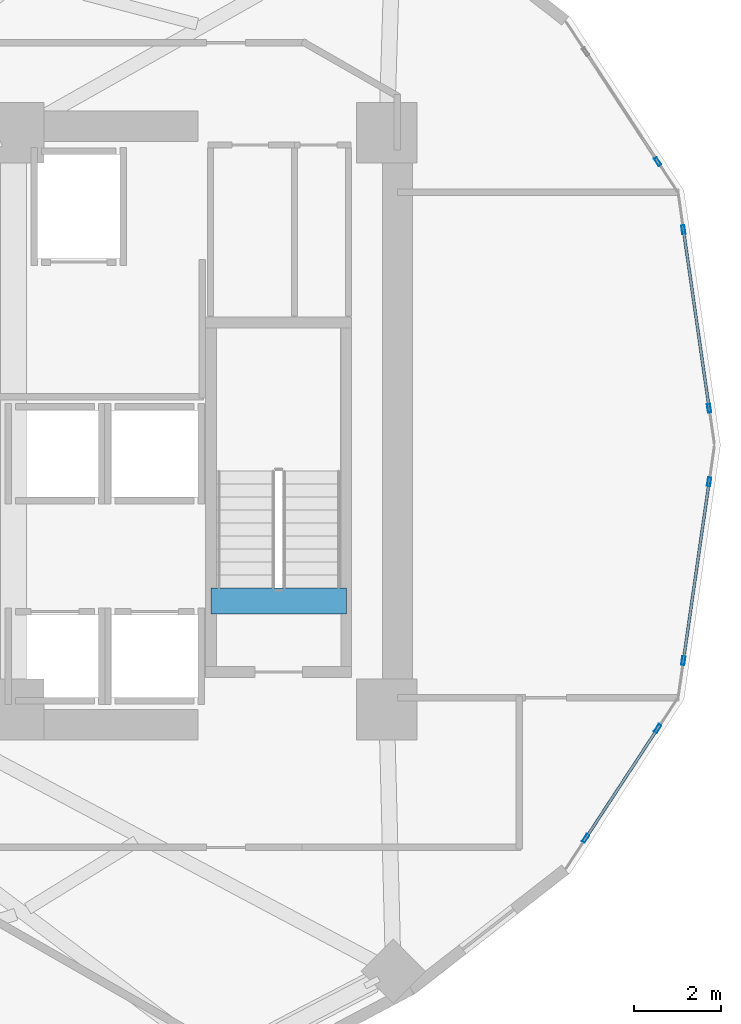
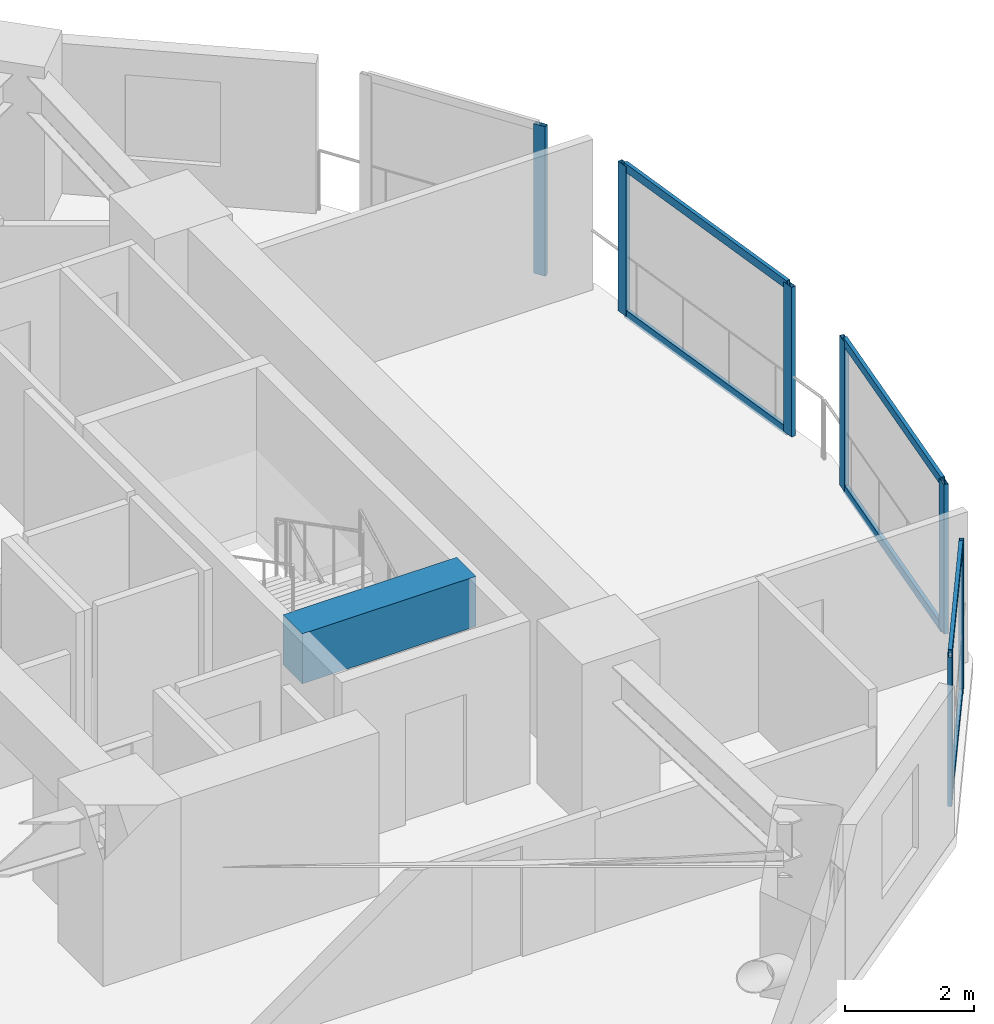
# One storey, part 3 of 14: 13 members, 1 beam, 4 elements without a shape of their own.
"""IFC4 building model written with IfcOpenShell, lengths in metres."""

from ifc_helpers import new_model, si_unit, direction, frame, origin, origin_2d, place, context, subcontext, project, spatial, rectangle, hollow_rectangle, extrude, material, layer, layer_set, material_profile, profile_set, type_object, element, aggregate, save


model = new_model("IFC4")

# Units and contexts
model_context = context("Model", 3, precision=1e-05, world=origin(), true_north=direction((0.0, 1.0)))
body_context = subcontext(model_context, "Body", "Model", "MODEL_VIEW")
ifc_project = project(units=[si_unit("LENGTHUNIT", "METRE"), si_unit("AREAUNIT", "SQUARE_METRE"), si_unit("VOLUMEUNIT", "CUBIC_METRE"), si_unit("PLANEANGLEUNIT", "RADIAN"), si_unit("MASSUNIT", "GRAM", prefix="KILO")], contexts=[model_context])

# Site, building, storey
site_placement = place(None, origin())
site = spatial("IfcSite", under=ifc_project, at=site_placement, CompositionType="ELEMENT")
building_placement = place(site_placement, origin())
building = spatial("IfcBuilding", under=site, at=building_placement, Name="Solvane Sanctuary Tower", CompositionType="ELEMENT")
storey_placement = place(building_placement, frame((0.0, 0.0, 88.699951171875)))
storey = spatial("IfcBuildingStorey", under=building, at=storey_placement, Name="L26", CompositionType="ELEMENT", Elevation=88.699951171875)

# Beam
ifc_material_1 = material(Name="Concrete C70/85", Category="concrete")
ifc_material_profile_1 = material_profile(ifc_material_1, rectangle(XDim=0.60009765625, YDim=0.949951171875, at=origin_2d()), Name="RC600X950")
ifc_profile_set_1 = profile_set([ifc_material_profile_1], Name="Concrete C70/85")
beam_type = type_object("IfcBeamType", Name="Beam B-COUPLE RC600X950", PredefinedType="LINTEL", material=ifc_profile_set_1)
beam_placement = place(storey_placement, frame((44.64990234375, 19.399169921875, 2.625), z_axis=(1.0, 0.0, 0.0), x_axis=(0.0, 1.0, 0.0)))
element("IfcBeam", 1, at=beam_placement, inside=storey, type_object=beam_type, Name="L26 ST-2 Stair Floor Landing Trimmer", PredefinedType="LINTEL", context=body_context, shape_type="SweptSolid", body=[
    extrude(rectangle(XDim=0.60009765625, YDim=0.949951171875, at=origin_2d()), origin(), (0.0, 0.0, 1.0), 3.1201171875),
])

# Curtain wall, members
ifc_material_2 = material(Name="Anodised Aluminium 6063-T6", Category="aluminium")
ifc_layer = layer(ifc_material_2, 0.2099609375, Name="Anodised Aluminium 6063-T6")
ifc_layer_set = layer_set([ifc_layer], Name="Anodised Aluminium 6063-T6")
curtain_wall_type = type_object("IfcCurtainWallType", Name="Curtain Wall CW-PORTAL", PredefinedType="NOTDEFINED", material=ifc_layer_set)
curtain_wall_1_placement = place(storey_placement, origin())
curtain_wall_1 = element("IfcCurtainWall", 2, at=curtain_wall_1_placement, inside=storey, type_object=curtain_wall_type, Name="L26 CW-PORTAL Facade Run 00", PredefinedType="NOTDEFINED")
ifc_material_profile_2 = material_profile(ifc_material_2, hollow_rectangle(XDim=0.074951171875, YDim=0.199951171875, WallThickness=0.00390625, at=origin_2d()), Name="ALU200X75X4")
ifc_profile_set_2 = profile_set([ifc_material_profile_2], Name="Anodised Aluminium 6063-T6")
member_type_1 = type_object("IfcMemberType", Name="Member M-CW-MUL-1 ALU200X75X4", PredefinedType="MULLION", material=ifc_profile_set_2)
member_1_placement = place(storey_placement, frame((56.1376953125, 23.8486328125, 0.0), z_axis=(0.0, 0.0, 1.0), x_axis=(-0.989782250971, -0.142587151113, 0.0)))
member_1 = element("IfcMember", 3, at=member_1_placement, type_object=member_type_1, Name="CW-PORTAL mullion 1", PredefinedType="MULLION", context=body_context, shape_type="SweptSolid", body=[
    extrude(hollow_rectangle(XDim=0.074951171875, YDim=0.199951171875, WallThickness=0.00390625, at=origin_2d()), origin(), (0.0, 0.0, 1.0), 2.840087890625),
])
member_2_placement = place(storey_placement, frame((55.5439453125, 27.969970703125, 0.0), z_axis=(0.0, 0.0, 1.0), x_axis=(-0.989782250971, -0.142587151113, 0.0)))
member_2 = element("IfcMember", 4, at=member_2_placement, type_object=member_type_1, Name="CW-PORTAL mullion 2", PredefinedType="MULLION", context=body_context, shape_type="SweptSolid", body=[
    extrude(hollow_rectangle(XDim=0.074951171875, YDim=0.199951171875, WallThickness=0.00390625, at=origin_2d()), origin(), (0.0, 0.0, 1.0), 2.840087890625),
])

# Curtain wall, member
curtain_wall_2_placement = place(storey_placement, origin())
curtain_wall_2 = element("IfcCurtainWall", 5, at=curtain_wall_2_placement, inside=storey, type_object=curtain_wall_type, Name="L26 CW-PORTAL Facade Run 01", PredefinedType="NOTDEFINED")
member_3_placement = place(storey_placement, frame((54.95166015625, 29.535888671875, 0.0), z_axis=(0.0, 0.0, 1.0), x_axis=(-0.8362976391, -0.548275714249, 0.0)))
member_3 = element("IfcMember", 6, at=member_3_placement, type_object=member_type_1, Name="CW-PORTAL mullion 1", PredefinedType="MULLION", context=body_context, shape_type="SweptSolid", body=[
    extrude(hollow_rectangle(XDim=0.074951171875, YDim=0.199951171875, WallThickness=0.00390625, at=origin_2d()), origin(), (0.0, 0.0, 1.0), 2.840087890625),
])
aggregate(curtain_wall_2, [member_3])

# Curtain wall, members
curtain_wall_3_placement = place(storey_placement, origin())
curtain_wall_3 = element("IfcCurtainWall", 7, at=curtain_wall_3_placement, inside=storey, type_object=curtain_wall_type, Name="L26 CW-PORTAL Facade Run 22", PredefinedType="NOTDEFINED")
member_4_placement = place(storey_placement, frame((53.290771484375, 13.9306640625, 0.0), z_axis=(0.0, 0.0, 1.0), x_axis=(-0.8362976391, 0.548275714249, 0.0)))
member_4 = element("IfcMember", 8, at=member_4_placement, type_object=member_type_1, Name="CW-PORTAL mullion 1", PredefinedType="MULLION", context=body_context, shape_type="SweptSolid", body=[
    extrude(hollow_rectangle(XDim=0.074951171875, YDim=0.199951171875, WallThickness=0.00390625, at=origin_2d()), origin(), (0.0, 0.0, 1.0), 2.840087890625),
])
member_5_placement = place(storey_placement, frame((54.95166015625, 16.464111328125, 0.0), z_axis=(0.0, 0.0, 1.0), x_axis=(-0.8362976391, 0.548275714249, 0.0)))
member_5 = element("IfcMember", 9, at=member_5_placement, type_object=member_type_1, Name="CW-PORTAL mullion 2", PredefinedType="MULLION", context=body_context, shape_type="SweptSolid", body=[
    extrude(hollow_rectangle(XDim=0.074951171875, YDim=0.199951171875, WallThickness=0.00390625, at=origin_2d()), origin(), (0.0, 0.0, 1.0), 2.840087890625),
])

curtain_wall_4_placement = place(storey_placement, origin())
curtain_wall_4 = element("IfcCurtainWall", 10, at=curtain_wall_4_placement, inside=storey, type_object=curtain_wall_type, Name="L26 CW-PORTAL Facade Run 23", PredefinedType="NOTDEFINED")
member_6_placement = place(storey_placement, frame((55.5439453125, 18.030029296875, 0.0), z_axis=(0.0, 0.0, 1.0), x_axis=(-0.989782250971, 0.142587151113, 0.0)))
member_6 = element("IfcMember", 11, at=member_6_placement, type_object=member_type_1, Name="CW-PORTAL mullion 1", PredefinedType="MULLION", context=body_context, shape_type="SweptSolid", body=[
    extrude(hollow_rectangle(XDim=0.074951171875, YDim=0.199951171875, WallThickness=0.00390625, at=origin_2d()), origin(), (0.0, 0.0, 1.0), 2.840087890625),
])
member_7_placement = place(storey_placement, frame((56.1376953125, 22.1513671875, 0.0), z_axis=(0.0, 0.0, 1.0), x_axis=(-0.989782250971, 0.142587151113, 0.0)))
member_7 = element("IfcMember", 12, at=member_7_placement, type_object=member_type_1, Name="CW-PORTAL mullion 2", PredefinedType="MULLION", context=body_context, shape_type="SweptSolid", body=[
    extrude(hollow_rectangle(XDim=0.074951171875, YDim=0.199951171875, WallThickness=0.00390625, at=origin_2d()), origin(), (0.0, 0.0, 1.0), 2.840087890625),
])

# Member
ifc_material_profile_3 = material_profile(ifc_material_2, hollow_rectangle(XDim=0.06494140625, YDim=0.159912109375, WallThickness=0.00341796875, at=origin_2d()), Name="ALU160X65X3.5")
ifc_profile_set_3 = profile_set([ifc_material_profile_3], Name="Anodised Aluminium 6063-T6")
member_type_2 = type_object("IfcMemberType", Name="Member M-CW-TRN-1 ALU160X65X3.5", PredefinedType="USERDEFINED", material=ifc_profile_set_3)
member_8_placement = place(storey_placement, frame((56.13232421875, 23.8857421875, 0.032470703125), z_axis=(-0.142583180387, 0.989782822982, 0.0), x_axis=(-0.989782822982, -0.142583180387, 0.0)))
member_8 = element("IfcMember", 13, at=member_8_placement, type_object=member_type_2, Name="CW-PORTAL transom 1.1", ObjectType="TRANSOM", PredefinedType="USERDEFINED", context=body_context, shape_type="SweptSolid", body=[
    extrude(hollow_rectangle(XDim=0.06494140625, YDim=0.159912109375, WallThickness=0.00341796875, at=origin_2d()), origin(), (0.0, 0.0, 1.0), 4.0888671875),
])

member_9_placement = place(storey_placement, frame((56.13232421875, 23.8857421875, 2.8076171875), z_axis=(-0.142583180387, 0.989782822982, 0.0), x_axis=(-0.989782822982, -0.142583180387, 0.0)))
member_9 = element("IfcMember", 14, at=member_9_placement, type_object=member_type_2, Name="CW-PORTAL transom 1.2", ObjectType="TRANSOM", PredefinedType="USERDEFINED", context=body_context, shape_type="SweptSolid", body=[
    extrude(hollow_rectangle(XDim=0.06494140625, YDim=0.159912109375, WallThickness=0.00341796875, at=origin_2d()), origin(), (0.0, 0.0, 1.0), 4.0888671875),
])

aggregate(curtain_wall_1, [member_1, member_2, member_8, member_9])

member_10_placement = place(storey_placement, frame((53.311279296875, 13.962158203125, 0.032470703125), z_axis=(0.548295383015, 0.836284743951, 0.0), x_axis=(-0.836284743951, 0.548295383015, 0.0)))
member_10 = element("IfcMember", 15, at=member_10_placement, type_object=member_type_2, Name="CW-PORTAL transom 1.1", ObjectType="TRANSOM", PredefinedType="USERDEFINED", context=body_context, shape_type="SweptSolid", body=[
    extrude(hollow_rectangle(XDim=0.06494140625, YDim=0.159912109375, WallThickness=0.00341796875, at=origin_2d()), origin(), (0.0, 0.0, 1.0), 2.954345703125),
])

member_11_placement = place(storey_placement, frame((53.311279296875, 13.962158203125, 2.8076171875), z_axis=(0.548295383015, 0.836284743951, 0.0), x_axis=(-0.836284743951, 0.548295383015, 0.0)))
member_11 = element("IfcMember", 16, at=member_11_placement, type_object=member_type_2, Name="CW-PORTAL transom 1.2", ObjectType="TRANSOM", PredefinedType="USERDEFINED", context=body_context, shape_type="SweptSolid", body=[
    extrude(hollow_rectangle(XDim=0.06494140625, YDim=0.159912109375, WallThickness=0.00341796875, at=origin_2d()), origin(), (0.0, 0.0, 1.0), 2.954345703125),
])

aggregate(curtain_wall_3, [member_4, member_5, member_10, member_11])

member_12_placement = place(storey_placement, frame((55.54931640625, 18.067138671875, 0.032470703125), z_axis=(0.142583180387, 0.989782822982, 0.0), x_axis=(-0.989782822982, 0.142583180387, 0.0)))
member_12 = element("IfcMember", 17, at=member_12_placement, type_object=member_type_2, Name="CW-PORTAL transom 1.1", ObjectType="TRANSOM", PredefinedType="USERDEFINED", context=body_context, shape_type="SweptSolid", body=[
    extrude(hollow_rectangle(XDim=0.06494140625, YDim=0.159912109375, WallThickness=0.00341796875, at=origin_2d()), origin(), (0.0, 0.0, 1.0), 4.0888671875),
])

member_13_placement = place(storey_placement, frame((55.54931640625, 18.067138671875, 2.8076171875), z_axis=(0.142583180387, 0.989782822982, 0.0), x_axis=(-0.989782822982, 0.142583180387, 0.0)))
member_13 = element("IfcMember", 18, at=member_13_placement, type_object=member_type_2, Name="CW-PORTAL transom 1.2", ObjectType="TRANSOM", PredefinedType="USERDEFINED", context=body_context, shape_type="SweptSolid", body=[
    extrude(hollow_rectangle(XDim=0.06494140625, YDim=0.159912109375, WallThickness=0.00341796875, at=origin_2d()), origin(), (0.0, 0.0, 1.0), 4.0888671875),
])

aggregate(curtain_wall_4, [member_6, member_7, member_12, member_13])

save(model, "model.ifc")
